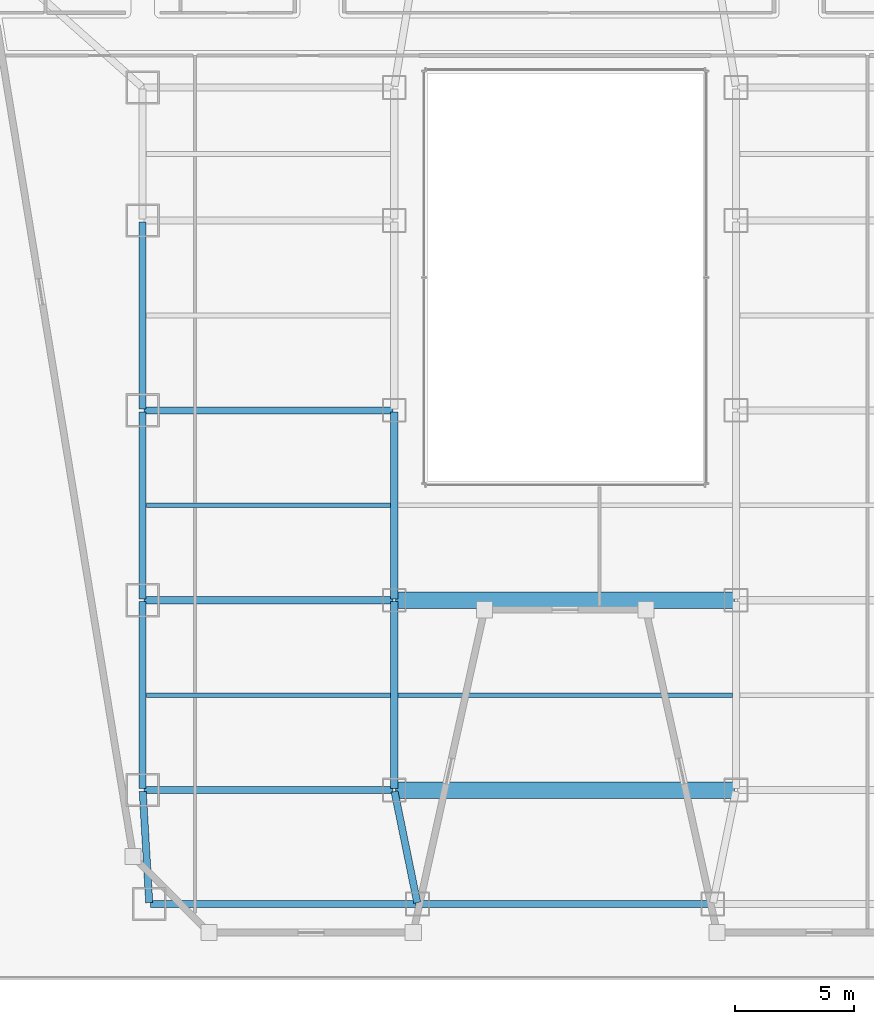
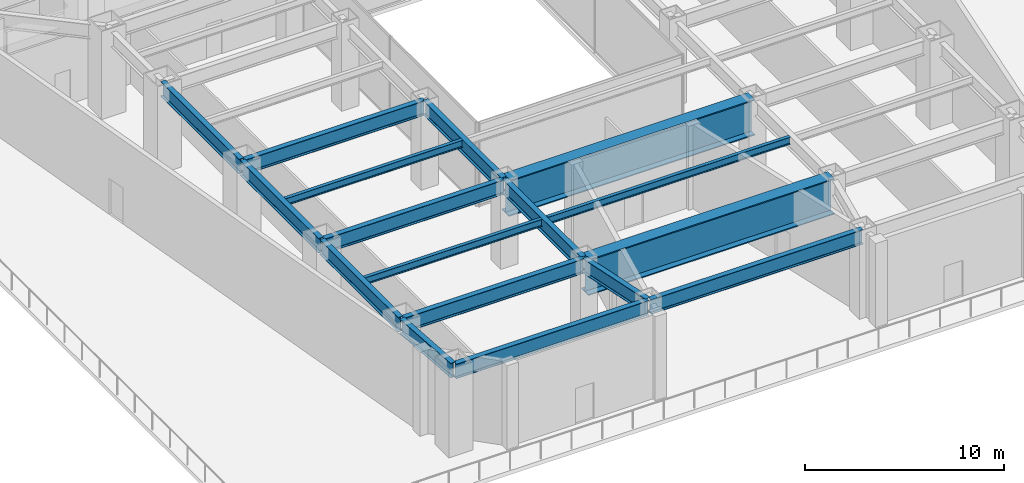
# One storey, part 4 of 29: 17 beams.
"""IFC4 building model written with IfcOpenShell, lengths in metres."""

from ifc_helpers import new_model, si_unit, direction, frame, origin, origin_2d, place, context, subcontext, project, spatial, i_section, extrude, material, material_profile, profile_set, type_object, element, save


model = new_model("IFC4")

# Units and contexts
model_context = context("Model", 3, precision=1e-05, world=origin(), true_north=direction((0.0, 1.0)))
body_context = subcontext(model_context, "Body", "Model", "MODEL_VIEW")
ifc_project = project(units=[si_unit("LENGTHUNIT", "METRE"), si_unit("AREAUNIT", "SQUARE_METRE"), si_unit("VOLUMEUNIT", "CUBIC_METRE"), si_unit("PLANEANGLEUNIT", "RADIAN"), si_unit("MASSUNIT", "GRAM", prefix="KILO")], contexts=[model_context])

# Site, building, storey
site_placement = place(None, origin())
site = spatial("IfcSite", under=ifc_project, at=site_placement, CompositionType="ELEMENT")
building_placement = place(site_placement, origin())
building = spatial("IfcBuilding", under=site, at=building_placement, Name="Saevonmaru Cultural Tower", CompositionType="ELEMENT")
storey_placement = place(building_placement, frame((0.0, 0.0, 27.60009765625)))
storey = spatial("IfcBuildingStorey", under=building, at=storey_placement, Name="L05", CompositionType="ELEMENT", Elevation=27.60009765625)

# Beams
ifc_material_1 = material(Name="Steel SM420", Category="steel")
ifc_material_profile_1 = material_profile(ifc_material_1, i_section(OverallWidth=0.300048828125, OverallDepth=0.89990234375, WebThickness=0.01611328125, FlangeThickness=0.028076171875, FilletRadius=0.028076171875, at=origin_2d()), Name="H-900x300x16x28")
ifc_profile_set_1 = profile_set([ifc_material_profile_1], Name="Steel SM420")
beam_type_1 = type_object("IfcBeamType", Name="BM-G-H900", PredefinedType="BEAM", material=ifc_profile_set_1)
beam_1_placement = place(storey_placement, frame((12.4765625, 3.260009765625, 4.699951171875), z_axis=(-0.058221363278, 0.998303697708, 0.0), x_axis=(-0.998303697708, -0.058221363278, 0.0)))
element("IfcBeam", 1, at=beam_1_placement, inside=storey, type_object=beam_type_1, Name="L05 Podium Girder NS1-1", PredefinedType="BEAM", context=body_context, shape_type="SweptSolid", body=[
    extrude(i_section(OverallWidth=0.300048828125, OverallDepth=0.89990234375, WebThickness=0.01611328125, FlangeThickness=0.028076171875, FilletRadius=0.028076171875, at=origin_2d()), origin(), (0.0, 0.0, 1.0), 4.688232421875),
])
for number, where, z_axis, x_axis, name in (
    (2, (12.199951171875, 8.06005859375, 4.699951171875), (0.0, 1.0, 0.0), (-1.0, 0.0, 0.0), "L05 Podium Girder NS1-2"),
    (3, (12.199951171875, 16.06005859375, 4.699951171875), (0.0, 1.0, 0.0), (-1.0, 0.0, 0.0), "L05 Podium Girder NS1-3"),
    (4, (12.199951171875, 24.06005859375, 4.699951171875), (0.0, 1.0, 0.0), (-1.0, 0.0, 0.0), "L05 Podium Girder NS1-4"),
):
    element("IfcBeam", number, at=place(storey_placement, frame(where, z_axis=z_axis, x_axis=x_axis)), inside=storey, type_object=beam_type_1, Name=name, PredefinedType="BEAM", context=body_context, shape_type="SweptSolid", body=[
        extrude(i_section(OverallWidth=0.300048828125, OverallDepth=0.89990234375, WebThickness=0.01611328125, FlangeThickness=0.028076171875, FilletRadius=0.028076171875, at=origin_2d()), origin(), (0.0, 0.0, 1.0), 7.8798828125),
    ])
beam_2_placement = place(storey_placement, frame((23.76806640625, 3.2587890625, 4.699951171875), z_axis=(-0.200054094908, 0.979784853481, 0.0), x_axis=(-0.979784853481, -0.200054094908, 0.0)))
element("IfcBeam", 5, at=beam_2_placement, inside=storey, type_object=beam_type_1, Name="L05 Podium Girder NS2-1", PredefinedType="BEAM", context=body_context, shape_type="SweptSolid", body=[
    extrude(i_section(OverallWidth=0.300048828125, OverallDepth=0.89990234375, WebThickness=0.01611328125, FlangeThickness=0.028076171875, FilletRadius=0.028076171875, at=origin_2d()), origin(), (0.0, 0.0, 1.0), 4.779052734375),
])
for number, where, z_axis, x_axis, name in (
    (6, (22.800048828125, 8.06005859375, 4.699951171875), (0.0, 1.0, 0.0), (-1.0, 0.0, 0.0), "L05 Podium Girder NS2-2"),
    (7, (22.800048828125, 16.06005859375, 4.699951171875), (0.0, 1.0, 0.0), (-1.0, 0.0, 0.0), "L05 Podium Girder NS2-3"),
):
    element("IfcBeam", number, at=place(storey_placement, frame(where, z_axis=z_axis, x_axis=x_axis)), inside=storey, type_object=beam_type_1, Name=name, PredefinedType="BEAM", context=body_context, shape_type="SweptSolid", body=[
        extrude(i_section(OverallWidth=0.300048828125, OverallDepth=0.89990234375, WebThickness=0.01611328125, FlangeThickness=0.028076171875, FilletRadius=0.028076171875, at=origin_2d()), origin(), (0.0, 0.0, 1.0), 7.8798828125),
    ])
beam_3_placement = place(storey_placement, frame((12.5400390625, 3.199951171875, 4.699951171875), z_axis=(1.0, 0.0, 0.0), x_axis=(0.0, 1.0, 0.0)))
element("IfcBeam", 8, at=beam_3_placement, inside=storey, type_object=beam_type_1, Name="BM-POD-EW-W-0-L05", PredefinedType="BEAM", context=body_context, shape_type="SweptSolid", body=[
    extrude(i_section(OverallWidth=0.300048828125, OverallDepth=0.89990234375, WebThickness=0.01611328125, FlangeThickness=0.028076171875, FilletRadius=0.028076171875, at=origin_2d()), origin(), (0.0, 0.0, 1.0), 11.179931640625),
])
beam_4_placement = place(storey_placement, frame((23.840087890625, 3.199951171875, 4.699951171875), z_axis=(1.0, 0.0, 0.0), x_axis=(0.0, 1.0, 0.0)))
element("IfcBeam", 9, at=beam_4_placement, inside=storey, type_object=beam_type_1, Name="BM-POD-EW-C-0-L05", PredefinedType="BEAM", context=body_context, shape_type="SweptSolid", body=[
    extrude(i_section(OverallWidth=0.300048828125, OverallDepth=0.89990234375, WebThickness=0.01611328125, FlangeThickness=0.028076171875, FilletRadius=0.028076171875, at=origin_2d()), origin(), (0.0, 0.0, 1.0), 12.31982421875),
])
for number, where, z_axis, x_axis, name in (
    (10, (12.260009765625, 8.0, 4.699951171875), (1.0, 0.0, 0.0), (0.0, 1.0, 0.0), "L05 Gallery Girder W-1"),
    (11, (12.260009765625, 16.0, 4.699951171875), (1.0, 0.0, 0.0), (0.0, 1.0, 0.0), "L05 Gallery Girder W-2"),
    (12, (12.260009765625, 24.0, 4.699951171875), (1.0, 0.0, 0.0), (0.0, 1.0, 0.0), "L05 Gallery Girder W-3"),
):
    element("IfcBeam", number, at=place(storey_placement, frame(where, z_axis=z_axis, x_axis=x_axis)), inside=storey, type_object=beam_type_1, Name=name, PredefinedType="BEAM", context=body_context, shape_type="SweptSolid", body=[
        extrude(i_section(OverallWidth=0.300048828125, OverallDepth=0.89990234375, WebThickness=0.01611328125, FlangeThickness=0.028076171875, FilletRadius=0.028076171875, at=origin_2d()), origin(), (0.0, 0.0, 1.0), 10.47998046875),
    ])
ifc_material_2 = material(Name="Steel SM355", Category="steel")
ifc_material_profile_2 = material_profile(ifc_material_2, i_section(OverallWidth=0.199951171875, OverallDepth=0.449951171875, WebThickness=0.009033203125, FlangeThickness=0.013916015625, FilletRadius=0.01806640625, at=origin_2d()), Name="H-450x200x9x14")
ifc_profile_set_2 = profile_set([ifc_material_profile_2], Name="Steel SM355")
beam_type_2 = type_object("IfcBeamType", Name="BM-J-H450", PredefinedType="JOIST", material=ifc_profile_set_2)
beam_5_placement = place(storey_placement, frame((12.35791015625, 12.0, 4.9248046875), z_axis=(1.0, 0.0, 0.0), x_axis=(0.0, 1.0, 0.0)))
element("IfcBeam", 13, at=beam_5_placement, inside=storey, type_object=beam_type_2, Name="L05 Secondary Floor Joist JW-1", PredefinedType="JOIST", context=body_context, shape_type="SweptSolid", body=[
    extrude(i_section(OverallWidth=0.199951171875, OverallDepth=0.449951171875, WebThickness=0.009033203125, FlangeThickness=0.013916015625, FilletRadius=0.01806640625, at=origin_2d()), origin(), (0.0, 0.0, 1.0), 10.2841796875),
])
beam_6_placement = place(storey_placement, frame((22.9580078125, 12.0, 4.9248046875), z_axis=(1.0, 0.0, 0.0), x_axis=(0.0, 1.0, 0.0)))
element("IfcBeam", 14, at=beam_6_placement, inside=storey, type_object=beam_type_2, Name="L05 Secondary Floor Joist JC-1", PredefinedType="JOIST", context=body_context, shape_type="SweptSolid", body=[
    extrude(i_section(OverallWidth=0.199951171875, OverallDepth=0.449951171875, WebThickness=0.009033203125, FlangeThickness=0.013916015625, FilletRadius=0.01806640625, at=origin_2d()), origin(), (0.0, 0.0, 1.0), 14.083984375),
])
beam_7_placement = place(storey_placement, frame((12.35791015625, 20.0, 4.9248046875), z_axis=(1.0, 0.0, 0.0), x_axis=(0.0, 1.0, 0.0)))
element("IfcBeam", 15, at=beam_7_placement, inside=storey, type_object=beam_type_2, Name="L05 Secondary Floor Joist JW-2", PredefinedType="JOIST", context=body_context, shape_type="SweptSolid", body=[
    extrude(i_section(OverallWidth=0.199951171875, OverallDepth=0.449951171875, WebThickness=0.009033203125, FlangeThickness=0.013916015625, FilletRadius=0.01806640625, at=origin_2d()), origin(), (0.0, 0.0, 1.0), 10.2841796875),
])
ifc_material_3 = material(Name="Steel HSA600 (600 MPa)", Category="steel")
ifc_material_profile_3 = material_profile(ifc_material_3, i_section(OverallWidth=0.699951171875, OverallDepth=2.199951171875, WebThickness=0.031982421875, FlangeThickness=0.06494140625, at=origin_2d()), Name="PG-2200x700x32x65")
ifc_profile_set_3 = profile_set([ifc_material_profile_3], Name="Steel HSA600 (600 MPa)")
beam_type_3 = type_object("IfcBeamType", Name="BM-TG-PG2200", PredefinedType="BEAM", material=ifc_profile_set_3)
for number, where, z_axis, x_axis, name in (
    (16, (22.860107421875, 8.0, 4.0498046875), (1.0, 0.0, 0.0), (0.0, 1.0, 0.0), "L05 Long-Span Hall Girder C-1"),
    (17, (22.860107421875, 16.0, 4.0498046875), (1.0, 0.0, 0.0), (0.0, 1.0, 0.0), "L05 Long-Span Hall Girder C-2"),
):
    element("IfcBeam", number, at=place(storey_placement, frame(where, z_axis=z_axis, x_axis=x_axis)), inside=storey, type_object=beam_type_3, Name=name, PredefinedType="BEAM", context=body_context, shape_type="SweptSolid", body=[
        extrude(i_section(OverallWidth=0.699951171875, OverallDepth=2.199951171875, WebThickness=0.031982421875, FlangeThickness=0.06494140625, at=origin_2d()), origin(), (0.0, 0.0, 1.0), 14.27978515625),
    ])

save(model, "model.ifc")
